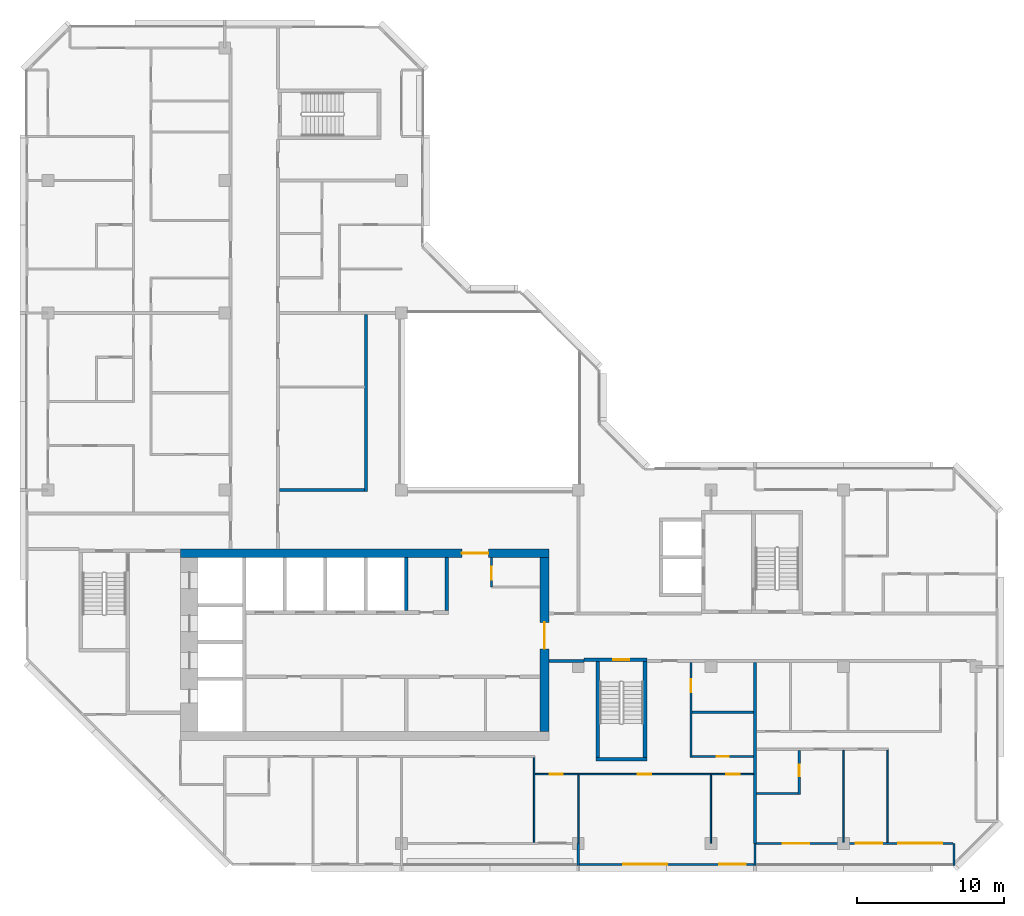
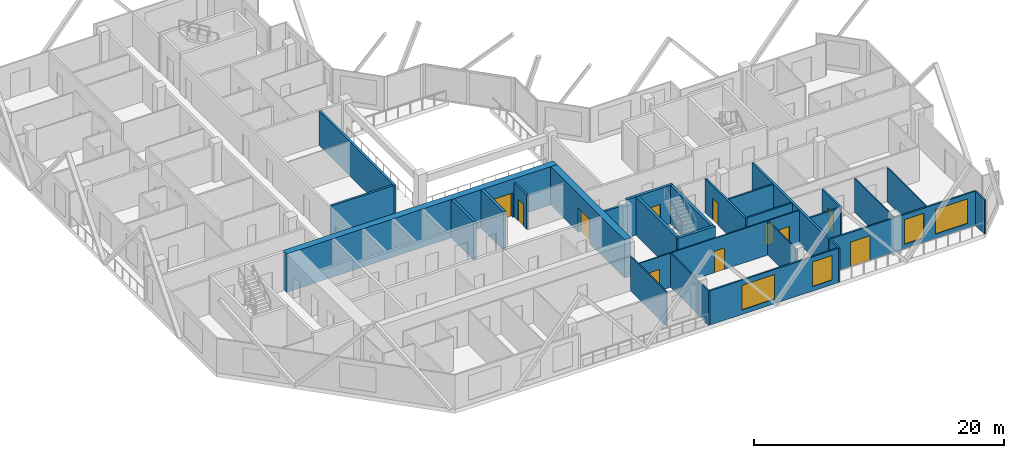
# One storey, part 6 of 13: 29 walls, 11 doors, 4 windows, 15 openings.
"""IFC4 building model written with IfcOpenShell, lengths in metres."""

from ifc_helpers import new_model, si_unit, direction, frame, frame_2d, origin, place, context, subcontext, project, spatial, rectangle, extrude, material, layer, layer_set, type_object, element, fill, save


model = new_model("IFC4")

# Units and contexts
model_context = context("Model", 3, precision=1e-05, world=origin(), true_north=direction((0.0, 1.0)))
body_context = subcontext(model_context, "Body", "Model", "MODEL_VIEW")
ifc_project = project(units=[si_unit("LENGTHUNIT", "METRE"), si_unit("AREAUNIT", "SQUARE_METRE"), si_unit("VOLUMEUNIT", "CUBIC_METRE"), si_unit("PLANEANGLEUNIT", "RADIAN"), si_unit("MASSUNIT", "GRAM", prefix="KILO")], contexts=[model_context])

# Site, building, storey
site_placement = place(None, origin())
site = spatial("IfcSite", under=ifc_project, at=site_placement, CompositionType="ELEMENT")
building_placement = place(site_placement, origin())
building = spatial("IfcBuilding", under=site, at=building_placement, Name="Chenar Terraces", CompositionType="ELEMENT")
storey_placement = place(building_placement, frame((0.0, 0.0, 303.39990234375)))
storey = spatial("IfcBuildingStorey", under=building, at=storey_placement, Name="L71", CompositionType="ELEMENT", Elevation=303.39990234375)

# Wall, opening, door
ifc_material_1 = material(Name="Gypsum board on steel studs", Category="steel")
ifc_layer_1 = layer(ifc_material_1, 0.14990234375)
ifc_layer_set_1 = layer_set([ifc_layer_1], Name="Gypsum board on steel studs")
wall_type_1 = type_object("IfcWallType", Name="Core partition 150 gypsum board", PredefinedType="PARTITIONING", material=ifc_layer_set_1)
wall_1_placement = place(storey_placement, frame((30.10009765625, 17.39990234375, 0.0), z_axis=(0.0, 0.0, 1.0), x_axis=(0.0, 1.0, 0.0)))
wall_1 = element("IfcWall", 1, at=wall_1_placement, inside=storey, type_object=wall_type_1, Name="Core partition CP1 vestibule room west wall", PredefinedType="PARTITIONING", context=body_context, shape_type="SweptSolid", body=[
    extrude(rectangle(XDim=2.0, YDim=0.14990234375, at=frame_2d((1.0, 0.0))), origin(), (0.0, 0.0, 1.0), 3.35009765625),
])
opening_1_placement = place(wall_1_placement, frame((0.5, 0.0, 0.0)))
opening_1 = element("IfcOpeningElement", 2, at=opening_1_placement, cuts=wall_1, Name="Opening DL71-C17", PredefinedType="OPENING", context=body_context, shape_type="SweptSolid", body=[
    extrude(rectangle(XDim=0.89990234375, YDim=2.10009765625, at=frame_2d((0.449951171875, 1.050048828125))), frame((0.0, 0.0849609375, 0.0), z_axis=(0.0, -1.0, 0.0), x_axis=(1.0, 0.0, 0.0)), (0.0, 0.0, 1.0), 0.169921875),
])
ifc_material_2 = material(Name="Steel-framed fire-resisting door leaf", Category="steel")
door_type_1 = type_object("IfcDoorType", Name="Riser fire door FD60 900 x 2100", OperationType="SINGLE_SWING_LEFT", PredefinedType="DOOR", material=ifc_material_2)
door_1_placement = place(opening_1_placement, frame((0.89990234375, 0.0, 0.0), z_axis=(0.0, 0.0, 1.0), x_axis=(-1.0, 0.0, 0.0)))
door_1 = element("IfcDoor", 3, at=door_1_placement, inside=storey, type_object=door_type_1, Name="Core room door DL71-C17", OperationType="SINGLE_SWING_RIGHT", OverallHeight=2.10009765625, OverallWidth=0.89990234375, PredefinedType="DOOR", context=body_context, shape_type="SweptSolid", body=[
    extrude(rectangle(XDim=0.89990234375, YDim=2.10009765625, at=frame_2d((0.449951171875, 1.050048828125))), frame((0.0, 0.02490234375, 0.0), z_axis=(0.0, -1.0, 0.0), x_axis=(1.0, 0.0, 0.0)), (0.0, 0.0, 1.0), 0.050048828125),
])
fill(opening_1, door_1)

# Walls
ifc_material_3 = material(Name="Concrete C50/60", Category="concrete")
ifc_layer_2 = layer(ifc_material_3, 0.25)
ifc_layer_set_2 = layer_set([ifc_layer_2], Name="Concrete C50/60")
wall_type_2 = type_object("IfcWallType", Name="Core wall 250 Concrete C50/60", PredefinedType="SHEAR", material=ifc_layer_set_2)
for number, where, z_axis, x_axis, name in (
    (4, (24.324951171875, 15.800048828125, 0.0), (0.0, 0.0, 1.0), (0.0, 1.0, 0.0), "Core wall NS3 L71"),
    (5, (27.074951171875, 15.800048828125, 0.0), (0.0, 0.0, 1.0), (0.0, 1.0, 0.0), "Core wall NE L71"),
):
    element("IfcWall", number, at=place(storey_placement, frame(where, z_axis=z_axis, x_axis=x_axis)), inside=storey, type_object=wall_type_2, Name=name, PredefinedType="SHEAR", context=body_context, shape_type="SweptSolid", body=[
        extrude(rectangle(XDim=3.599853515625, YDim=0.25, at=frame_2d((1.7998046875, 0.0))), origin(), (0.0, 0.0, 1.0), 3.75),
    ])
wall_2_placement = place(storey_placement, frame((37.199951171875, 5.72509765625, 0.0), z_axis=(0.0, 0.0, 1.0), x_axis=(1.0, 0.0, 0.0)))
element("IfcWall", 6, at=wall_2_placement, inside=storey, type_object=wall_type_2, Name="Core wall ST2_S L71", PredefinedType="SHEAR", context=body_context, shape_type="SweptSolid", body=[
    extrude(rectangle(XDim=3.449951171875, YDim=0.25, at=frame_2d((1.72509765625, 0.0))), origin(), (0.0, 0.0, 1.0), 3.75),
])

# Wall, opening, door
wall_3_placement = place(storey_placement, frame((36.39990234375, 12.47509765625, 0.0), z_axis=(0.0, 0.0, 1.0), x_axis=(1.0, 0.0, 0.0)))
wall_3 = element("IfcWall", 7, at=wall_3_placement, inside=storey, type_object=wall_type_2, Name="Core wall ST2_N L71", PredefinedType="SHEAR", context=body_context, shape_type="SweptSolid", body=[
    extrude(rectangle(XDim=4.25, YDim=0.25, at=frame_2d((2.125, 0.0))), origin(), (0.0, 0.0, 1.0), 3.75),
])
opening_2_placement = place(wall_3_placement, frame((1.97509765625, 0.0, 0.0)))
opening_2 = element("IfcOpeningElement", 8, at=opening_2_placement, cuts=wall_3, Name="Opening DL71-C7", PredefinedType="OPENING", context=body_context, shape_type="SweptSolid", body=[
    extrude(rectangle(XDim=1.10009765625, YDim=2.199951171875, at=frame_2d((0.550048828125, 1.10009765625))), frame((0.0, 0.135009765625, 0.0), z_axis=(0.0, -1.0, 0.0), x_axis=(1.0, 0.0, 0.0)), (0.0, 0.0, 1.0), 0.27001953125),
])
ifc_material_4 = material(Name="Steel-framed fire-resisting door leaf", Category="steel")
door_type_2 = type_object("IfcDoorType", Name="Stair fire door FD60 1100 x 2200", OperationType="SINGLE_SWING_LEFT", PredefinedType="DOOR", material=ifc_material_4)
door_2_placement = place(opening_2_placement, frame((1.10009765625, 0.0, 0.0), z_axis=(0.0, 0.0, 1.0), x_axis=(-1.0, 0.0, 0.0)))
door_2 = element("IfcDoor", 9, at=door_2_placement, inside=storey, type_object=door_type_2, Name="Stair door DL71-C7", OperationType="SINGLE_SWING_LEFT", OverallHeight=2.199951171875, OverallWidth=1.10009765625, PredefinedType="DOOR", context=body_context, shape_type="SweptSolid", body=[
    extrude(rectangle(XDim=1.10009765625, YDim=2.199951171875, at=frame_2d((0.550048828125, 1.10009765625))), frame((0.0, 0.02490234375, 0.0), z_axis=(0.0, -1.0, 0.0), x_axis=(1.0, 0.0, 0.0)), (0.0, 0.0, 1.0), 0.050048828125),
])
fill(opening_2, door_2)

# Walls
for number, where, z_axis, x_axis, name in (
    (10, (37.324951171875, 5.85009765625, 0.0), (0.0, 0.0, 1.0), (0.0, 1.0, 0.0), "Core wall ST2_W L71"),
    (11, (40.52490234375, 5.85009765625, 0.0), (0.0, 0.0, 1.0), (0.0, 1.0, 0.0), "Core wall ST2_E L71"),
):
    element("IfcWall", number, at=place(storey_placement, frame(where, z_axis=z_axis, x_axis=x_axis)), inside=storey, type_object=wall_type_2, Name=name, PredefinedType="SHEAR", context=body_context, shape_type="SweptSolid", body=[
        extrude(rectangle(XDim=6.5, YDim=0.25, at=frame_2d((3.25, 0.0))), origin(), (0.0, 0.0, 1.0), 3.75),
    ])

# Wall, opening, door
ifc_material_5 = material(Name="Concrete C50/60", Category="concrete")
ifc_layer_3 = layer(ifc_material_5, 0.60009765625)
ifc_layer_set_3 = layer_set([ifc_layer_3], Name="Concrete C50/60")
wall_type_3 = type_object("IfcWallType", Name="Core wall 600 Concrete C50/60", PredefinedType="SHEAR", material=ifc_layer_set_3)
wall_4_placement = place(storey_placement, frame((9.0, 19.699951171875, 0.0), z_axis=(0.0, 0.0, 1.0), x_axis=(1.0, 0.0, 0.0)))
wall_4 = element("IfcWall", 12, at=wall_4_placement, inside=storey, type_object=wall_type_3, Name="Core wall N L71", PredefinedType="SHEAR", context=body_context, shape_type="SweptSolid", body=[
    extrude(rectangle(XDim=25.0, YDim=0.60009765625, at=frame_2d((12.5, 0.0))), origin(), (0.0, 0.0, 1.0), 3.75),
])
opening_3_placement = place(wall_4_placement, frame((19.10009765625, 0.0, 0.0)))
opening_3 = element("IfcOpeningElement", 13, at=opening_3_placement, cuts=wall_4, Name="Opening DL71-C2", PredefinedType="OPENING", context=body_context, shape_type="SweptSolid", body=[
    extrude(rectangle(XDim=1.800048828125, YDim=2.39990234375, at=frame_2d((0.89990234375, 1.199951171875))), frame((0.0, 0.31005859375, 0.0), z_axis=(0.0, -1.0, 0.0), x_axis=(1.0, 0.0, 0.0)), (0.0, 0.0, 1.0), 0.6201171875),
])
ifc_material_6 = material(Name="Steel-framed fire-resisting door leaf", Category="steel")
door_type_3 = type_object("IfcDoorType", Name="Core entrance double fire door FD60 1800 x 2400", OperationType="DOUBLE_DOOR_SINGLE_SWING", PredefinedType="DOOR", material=ifc_material_6)
door_3_placement = place(opening_3_placement, frame((1.800048828125, 0.0, 0.0), z_axis=(0.0, 0.0, 1.0), x_axis=(-1.0, 0.0, 0.0)))
door_3 = element("IfcDoor", 14, at=door_3_placement, inside=storey, type_object=door_type_3, Name="Core door DL71-C2", OperationType="DOUBLE_DOOR_SINGLE_SWING", OverallHeight=2.39990234375, OverallWidth=1.800048828125, PredefinedType="DOOR", context=body_context, shape_type="SweptSolid", body=[
    extrude(rectangle(XDim=1.800048828125, YDim=2.39990234375, at=frame_2d((0.89990234375, 1.199951171875))), frame((0.0, 0.02490234375, 0.0), z_axis=(0.0, -1.0, 0.0), x_axis=(1.0, 0.0, 0.0)), (0.0, 0.0, 1.0), 0.050048828125),
])
fill(opening_3, door_3)

wall_5_placement = place(storey_placement, frame((33.699951171875, 7.60009765625, 0.0), z_axis=(0.0, 0.0, 1.0), x_axis=(0.0, 1.0, 0.0)))
wall_5 = element("IfcWall", 15, at=wall_5_placement, inside=storey, type_object=wall_type_3, Name="Core wall E L71", PredefinedType="SHEAR", context=body_context, shape_type="SweptSolid", body=[
    extrude(rectangle(XDim=11.7998046875, YDim=0.60009765625, at=frame_2d((5.89990234375, 0.0))), origin(), (0.0, 0.0, 1.0), 3.75),
])
opening_4_placement = place(wall_5_placement, frame((5.60009765625, 0.0, 0.0)))
opening_4 = element("IfcOpeningElement", 16, at=opening_4_placement, cuts=wall_5, Name="Opening DL71-C1", PredefinedType="OPENING", context=body_context, shape_type="SweptSolid", body=[
    extrude(rectangle(XDim=1.800048828125, YDim=2.39990234375, at=frame_2d((0.89990234375, 1.199951171875))), frame((0.0, 0.31005859375, 0.0), z_axis=(0.0, -1.0, 0.0), x_axis=(1.0, 0.0, 0.0)), (0.0, 0.0, 1.0), 0.6201171875),
])
door_4_placement = place(opening_4_placement, origin())
door_4 = element("IfcDoor", 17, at=door_4_placement, inside=storey, type_object=door_type_3, Name="Core door DL71-C1", OperationType="DOUBLE_DOOR_SINGLE_SWING", OverallHeight=2.39990234375, OverallWidth=1.800048828125, PredefinedType="DOOR", context=body_context, shape_type="SweptSolid", body=[
    extrude(rectangle(XDim=1.800048828125, YDim=2.39990234375, at=frame_2d((0.89990234375, 1.199951171875))), frame((0.0, 0.02490234375, 0.0), z_axis=(0.0, -1.0, 0.0), x_axis=(1.0, 0.0, 0.0)), (0.0, 0.0, 1.0), 0.050048828125),
])
fill(opening_4, door_4)

# Walls
ifc_material_7 = material(Name="Gypsum board on steel studs with fire boards", Category="steel")
ifc_layer_4 = layer(ifc_material_7, 0.199951171875)
ifc_layer_set_4 = layer_set([ifc_layer_4], Name="Gypsum board on steel studs with fire boards")
wall_type_4 = type_object("IfcWallType", Name="Corridor wall 200", PredefinedType="PARTITIONING", material=ifc_layer_set_4)
wall_6_placement = place(storey_placement, frame((15.699951171875, 24.0, 0.0), z_axis=(0.0, 0.0, 1.0), x_axis=(1.0, 0.0, 0.0)))
element("IfcWall", 18, at=wall_6_placement, inside=storey, type_object=wall_type_4, Name="Partition L71-035", PredefinedType="PARTITIONING", context=body_context, shape_type="SweptSolid", body=[
    extrude(rectangle(XDim=5.800048828125, YDim=0.199951171875, at=frame_2d((2.89990234375, 0.0))), origin(), (0.0, 0.0, 1.0), 3.35009765625),
])
wall_7_placement = place(storey_placement, frame((21.60009765625, 23.89990234375, 0.0), z_axis=(0.0, 0.0, 1.0), x_axis=(0.0, 1.0, 0.0)))
element("IfcWall", 19, at=wall_7_placement, inside=storey, type_object=wall_type_4, Name="Partition L71-047", PredefinedType="PARTITIONING", context=body_context, shape_type="SweptSolid", body=[
    extrude(rectangle(XDim=12.0, YDim=0.199951171875, at=frame_2d((6.0, 0.0))), origin(), (0.0, 0.0, 1.0), 3.35009765625),
])
wall_8_placement = place(storey_placement, frame((34.0, 12.39990234375, 0.0), z_axis=(0.0, 0.0, 1.0), x_axis=(1.0, 0.0, 0.0)))
element("IfcWall", 20, at=wall_8_placement, inside=storey, type_object=wall_type_4, Name="Partition L71-051", PredefinedType="PARTITIONING", context=body_context, shape_type="SweptSolid", body=[
    extrude(rectangle(XDim=2.40087890625, YDim=0.199951171875, at=frame_2d((1.200439453125, 0.0))), origin(), (0.0, 0.0, 1.0), 3.35009765625),
])

# Wall, openings, windows
ifc_material_8 = material(Name="Aluminium framed glazing", Category="aluminium")
ifc_layer_5 = layer(ifc_material_8, 0.14990234375)
ifc_layer_set_5 = layer_set([ifc_layer_5], Name="Aluminium framed glazing")
wall_type_5 = type_object("IfcWallType", Name="Glazed flush facade wall 150", PredefinedType="SOLIDWALL", material=ifc_layer_set_5)
wall_9_placement = place(storey_placement, frame((36.074951171875, -1.425048828125, 0.0), z_axis=(0.0, 0.0, 1.0), x_axis=(1.0, 0.0, 0.0)))
wall_9 = element("IfcWall", 21, at=wall_9_placement, inside=storey, type_object=wall_type_5, Name="Glazed flush facade wall", PredefinedType="SOLIDWALL", context=body_context, shape_type="SweptSolid", body=[
    extrude(rectangle(XDim=11.85009765625, YDim=0.14990234375, at=frame_2d((5.925048828125, 0.0))), origin(), (0.0, 0.0, 1.0), 3.35009765625),
])
opening_5_placement = place(wall_9_placement, frame((2.96240234375, 0.0, 0.449951171875)))
opening_5 = element("IfcOpeningElement", 22, at=opening_5_placement, cuts=wall_9, Name="Opening W300x240", PredefinedType="OPENING", context=body_context, shape_type="SweptSolid", body=[
    extrude(rectangle(XDim=3.0, YDim=2.39990234375, at=frame_2d((1.5, 1.199951171875))), frame((0.0, 0.0849609375, 0.0), z_axis=(0.0, -1.0, 0.0), x_axis=(1.0, 0.0, 0.0)), (0.0, 0.0, 1.0), 0.169921875),
])
opening_6_placement = place(wall_9_placement, frame((9.487548828125, 0.0, 0.449951171875)))
opening_6 = element("IfcOpeningElement", 23, at=opening_6_placement, cuts=wall_9, Name="Opening W180x240", PredefinedType="OPENING", context=body_context, shape_type="SweptSolid", body=[
    extrude(rectangle(XDim=1.800048828125, YDim=2.39990234375, at=frame_2d((0.89990234375, 1.199951171875))), frame((0.0, 0.0849609375, 0.0), z_axis=(0.0, -1.0, 0.0), x_axis=(1.0, 0.0, 0.0)), (0.0, 0.0, 1.0), 0.169921875),
])
ifc_material_9 = material(Name="Low emissivity double glazing, aluminium frame", Category="aluminium")
window_type_1 = type_object("IfcWindowType", Name="Fixed light 1800 x 2400", PartitioningType="SINGLE_PANEL", PredefinedType="WINDOW", material=ifc_material_9)
window_1_placement = place(opening_6_placement, origin())
window_1 = element("IfcWindow", 24, at=window_1_placement, inside=storey, type_object=window_type_1, Name="Window", OverallHeight=2.39990234375, OverallWidth=1.800048828125, PartitioningType="SINGLE_PANEL", PredefinedType="WINDOW", context=body_context, shape_type="SweptSolid", body=[
    extrude(rectangle(XDim=1.800048828125, YDim=2.39990234375, at=frame_2d((0.89990234375, 1.199951171875))), frame((0.0, 0.030029296875, 0.0), z_axis=(0.0, -1.0, 0.0), x_axis=(1.0, 0.0, 0.0)), (0.0, 0.0, 1.0), 0.06005859375),
])
fill(opening_6, window_1)
ifc_material_10 = material(Name="Low emissivity double glazing, aluminium frame", Category="aluminium")
window_type_2 = type_object("IfcWindowType", Name="Fixed light 3000 x 2400", PartitioningType="SINGLE_PANEL", PredefinedType="WINDOW", material=ifc_material_10)
window_2_placement = place(opening_5_placement, origin())
window_2 = element("IfcWindow", 25, at=window_2_placement, inside=storey, type_object=window_type_2, Name="Window", OverallHeight=2.39990234375, OverallWidth=3.0, PartitioningType="SINGLE_PANEL", PredefinedType="WINDOW", context=body_context, shape_type="SweptSolid", body=[
    extrude(rectangle(XDim=3.0, YDim=2.39990234375, at=frame_2d((1.5, 1.199951171875))), frame((0.0, 0.030029296875, 0.0), z_axis=(0.0, -1.0, 0.0), x_axis=(1.0, 0.0, 0.0)), (0.0, 0.0, 1.0), 0.06005859375),
])
fill(opening_5, window_2)

# Wall, openings, windows, door
ifc_material_11 = material(Name="Aluminium framed glazing", Category="aluminium")
ifc_layer_6 = layer(ifc_material_11, 0.14990234375)
ifc_layer_set_6 = layer_set([ifc_layer_6], Name="Aluminium framed glazing")
wall_type_6 = type_object("IfcWallType", Name="Glazed loggia back wall 150", PredefinedType="SOLIDWALL", material=ifc_layer_set_6)
wall_10_placement = place(storey_placement, frame((48.074951171875, 0.0, 0.0), z_axis=(0.0, 0.0, 1.0), x_axis=(1.0, 0.0, 0.0)))
wall_10 = element("IfcWall", 26, at=wall_10_placement, inside=storey, type_object=wall_type_6, Name="Glazed loggia back wall", PredefinedType="SOLIDWALL", context=body_context, shape_type="SweptSolid", body=[
    extrude(rectangle(XDim=13.35009765625, YDim=0.14990234375, at=frame_2d((6.675048828125, 0.0))), origin(), (0.0, 0.0, 1.0), 3.35009765625),
])
opening_7_placement = place(wall_10_placement, frame((1.8125, 0.0, 0.0)))
opening_7 = element("IfcOpeningElement", 27, at=opening_7_placement, cuts=wall_10, Name="Opening DL71-G6", PredefinedType="OPENING", context=body_context, shape_type="SweptSolid", body=[
    extrude(rectangle(XDim=1.800048828125, YDim=2.39990234375, at=frame_2d((0.89990234375, 1.199951171875))), frame((0.0, 0.0849609375, 0.0), z_axis=(0.0, -1.0, 0.0), x_axis=(1.0, 0.0, 0.0)), (0.0, 0.0, 1.0), 0.169921875),
])
opening_8_placement = place(wall_10_placement, frame((6.77490234375, 0.0, 0.449951171875)))
opening_8 = element("IfcOpeningElement", 28, at=opening_8_placement, cuts=wall_10, Name="Opening W180x240", PredefinedType="OPENING", context=body_context, shape_type="SweptSolid", body=[
    extrude(rectangle(XDim=1.800048828125, YDim=2.39990234375, at=frame_2d((0.89990234375, 1.199951171875))), frame((0.0, 0.0849609375, 0.0), z_axis=(0.0, -1.0, 0.0), x_axis=(1.0, 0.0, 0.0)), (0.0, 0.0, 1.0), 0.169921875),
])
opening_9_placement = place(wall_10_placement, frame((9.637451171875, 0.0, 0.449951171875)))
opening_9 = element("IfcOpeningElement", 29, at=opening_9_placement, cuts=wall_10, Name="Opening W300x240", PredefinedType="OPENING", context=body_context, shape_type="SweptSolid", body=[
    extrude(rectangle(XDim=3.0, YDim=2.39990234375, at=frame_2d((1.5, 1.199951171875))), frame((0.0, 0.0849609375, 0.0), z_axis=(0.0, -1.0, 0.0), x_axis=(1.0, 0.0, 0.0)), (0.0, 0.0, 1.0), 0.169921875),
])
window_3_placement = place(opening_8_placement, origin())
window_3 = element("IfcWindow", 30, at=window_3_placement, inside=storey, type_object=window_type_1, Name="Window", OverallHeight=2.39990234375, OverallWidth=1.800048828125, PartitioningType="SINGLE_PANEL", PredefinedType="WINDOW", context=body_context, shape_type="SweptSolid", body=[
    extrude(rectangle(XDim=1.800048828125, YDim=2.39990234375, at=frame_2d((0.89990234375, 1.199951171875))), frame((0.0, 0.030029296875, 0.0), z_axis=(0.0, -1.0, 0.0), x_axis=(1.0, 0.0, 0.0)), (0.0, 0.0, 1.0), 0.06005859375),
])
fill(opening_8, window_3)
window_4_placement = place(opening_9_placement, origin())
window_4 = element("IfcWindow", 31, at=window_4_placement, inside=storey, type_object=window_type_2, Name="Window", OverallHeight=2.39990234375, OverallWidth=3.0, PartitioningType="SINGLE_PANEL", PredefinedType="WINDOW", context=body_context, shape_type="SweptSolid", body=[
    extrude(rectangle(XDim=3.0, YDim=2.39990234375, at=frame_2d((1.5, 1.199951171875))), frame((0.0, 0.030029296875, 0.0), z_axis=(0.0, -1.0, 0.0), x_axis=(1.0, 0.0, 0.0)), (0.0, 0.0, 1.0), 0.06005859375),
])
fill(opening_9, window_4)
ifc_material_12 = material(Name="Low emissivity double glazing, aluminium frame", Category="aluminium")
door_type_4 = type_object("IfcDoorType", Name="Loggia glazed double door 1800 x 2400", OperationType="DOUBLE_DOOR_SINGLE_SWING", PredefinedType="DOOR", material=ifc_material_12)
door_5_placement = place(opening_7_placement, frame((1.800048828125, 0.0, 0.0), z_axis=(0.0, 0.0, 1.0), x_axis=(-1.0, 0.0, 0.0)))
door_5 = element("IfcDoor", 32, at=door_5_placement, inside=storey, type_object=door_type_4, Name="Loggia glazed door", OperationType="DOUBLE_DOOR_SINGLE_SWING", OverallHeight=2.39990234375, OverallWidth=1.800048828125, PredefinedType="DOOR", context=body_context, shape_type="SweptSolid", body=[
    extrude(rectangle(XDim=1.800048828125, YDim=2.39990234375, at=frame_2d((0.89990234375, 1.199951171875))), frame((0.0, 0.02490234375, 0.0), z_axis=(0.0, -1.0, 0.0), x_axis=(1.0, 0.0, 0.0)), (0.0, 0.0, 1.0), 0.050048828125),
])
fill(opening_7, door_5)

# Wall
ifc_material_13 = material(Name="Gypsum board on steel studs", Category="steel")
ifc_layer_7 = layer(ifc_material_13, 0.10009765625)
ifc_layer_set_7 = layer_set([ifc_layer_7], Name="Gypsum board on steel studs")
wall_type_7 = type_object("IfcWallType", Name="Gypsum partition 100", PredefinedType="PARTITIONING", material=ifc_layer_set_7)
wall_11_placement = place(storey_placement, frame((33.0, 0.073974609375, 0.0), z_axis=(0.0, 0.0, 1.0), x_axis=(0.0, 1.0, 0.0)))
element("IfcWall", 33, at=wall_11_placement, inside=storey, type_object=wall_type_7, Name="Partition L71-049", PredefinedType="PARTITIONING", context=body_context, shape_type="SweptSolid", body=[
    extrude(rectangle(XDim=5.7509765625, YDim=0.10009765625, at=frame_2d((2.87548828125, 0.0))), origin(), (0.0, 0.0, 1.0), 3.35009765625),
])

# Wall, openings, doors
wall_12_placement = place(storey_placement, frame((33.050048828125, 4.699951171875, 0.0), z_axis=(0.0, 0.0, 1.0), x_axis=(1.0, 0.0, 0.0)))
wall_12 = element("IfcWall", 34, at=wall_12_placement, inside=storey, type_object=wall_type_7, Name="Partition L71-050", PredefinedType="PARTITIONING", context=body_context, shape_type="SweptSolid", body=[
    extrude(rectangle(XDim=14.849853515625, YDim=0.10009765625, at=frame_2d((7.4248046875, 0.0))), origin(), (0.0, 0.0, 1.0), 3.35009765625),
])
opening_10_placement = place(wall_12_placement, frame((1.0, 0.0, 0.0)))
opening_10 = element("IfcOpeningElement", 35, at=opening_10_placement, cuts=wall_12, Name="Opening DL71-37", PredefinedType="OPENING", context=body_context, shape_type="SweptSolid", body=[
    extrude(rectangle(XDim=0.89990234375, YDim=2.10009765625, at=frame_2d((0.449951171875, 1.050048828125))), frame((0.0, 0.06005859375, 0.0), z_axis=(0.0, -1.0, 0.0), x_axis=(1.0, 0.0, 0.0)), (0.0, 0.0, 1.0), 0.1201171875),
])
opening_11_placement = place(wall_12_placement, frame((13.0, 0.0, 0.0)))
opening_11 = element("IfcOpeningElement", 36, at=opening_11_placement, cuts=wall_12, Name="Opening DL71-38", PredefinedType="OPENING", context=body_context, shape_type="SweptSolid", body=[
    extrude(rectangle(XDim=0.89990234375, YDim=2.10009765625, at=frame_2d((0.449951171875, 1.050048828125))), frame((0.0, 0.06005859375, 0.0), z_axis=(0.0, -1.0, 0.0), x_axis=(1.0, 0.0, 0.0)), (0.0, 0.0, 1.0), 0.1201171875),
])
opening_12_placement = place(wall_12_placement, frame((7.0, 0.0, 0.0)))
opening_12 = element("IfcOpeningElement", 37, at=opening_12_placement, cuts=wall_12, Name="Opening DL71-46", PredefinedType="OPENING", context=body_context, shape_type="SweptSolid", body=[
    extrude(rectangle(XDim=0.89990234375, YDim=2.10009765625, at=frame_2d((0.449951171875, 1.050048828125))), frame((0.0, 0.06005859375, 0.0), z_axis=(0.0, -1.0, 0.0), x_axis=(1.0, 0.0, 0.0)), (0.0, 0.0, 1.0), 0.1201171875),
])
ifc_material_14 = material(Name="Veneered timber door leaf", Category="wood")
door_type_5 = type_object("IfcDoorType", Name="Door 900 x 2100", OperationType="SINGLE_SWING_LEFT", PredefinedType="DOOR", material=ifc_material_14)
door_6_placement = place(opening_10_placement, frame((0.89990234375, 0.0, 0.0), z_axis=(0.0, 0.0, 1.0), x_axis=(-1.0, 0.0, 0.0)))
door_6 = element("IfcDoor", 38, at=door_6_placement, inside=storey, type_object=door_type_5, Name="Door DL71-37", OperationType="SINGLE_SWING_LEFT", OverallHeight=2.10009765625, OverallWidth=0.89990234375, PredefinedType="DOOR", context=body_context, shape_type="SweptSolid", body=[
    extrude(rectangle(XDim=0.89990234375, YDim=2.10009765625, at=frame_2d((0.449951171875, 1.050048828125))), frame((0.0, 0.02490234375, 0.0), z_axis=(0.0, -1.0, 0.0), x_axis=(1.0, 0.0, 0.0)), (0.0, 0.0, 1.0), 0.050048828125),
])
fill(opening_10, door_6)
door_7_placement = place(opening_11_placement, frame((0.89990234375, 0.0, 0.0), z_axis=(0.0, 0.0, 1.0), x_axis=(-1.0, 0.0, 0.0)))
door_7 = element("IfcDoor", 39, at=door_7_placement, inside=storey, type_object=door_type_5, Name="Door DL71-38", OperationType="SINGLE_SWING_LEFT", OverallHeight=2.10009765625, OverallWidth=0.89990234375, PredefinedType="DOOR", context=body_context, shape_type="SweptSolid", body=[
    extrude(rectangle(XDim=0.89990234375, YDim=2.10009765625, at=frame_2d((0.449951171875, 1.050048828125))), frame((0.0, 0.02490234375, 0.0), z_axis=(0.0, -1.0, 0.0), x_axis=(1.0, 0.0, 0.0)), (0.0, 0.0, 1.0), 0.050048828125),
])
fill(opening_11, door_7)
door_8_placement = place(opening_12_placement, frame((0.89990234375, 0.0, 0.0), z_axis=(0.0, 0.0, 1.0), x_axis=(-1.0, 0.0, 0.0)))
door_8 = element("IfcDoor", 40, at=door_8_placement, inside=storey, type_object=door_type_5, Name="Door DL71-46", OperationType="SINGLE_SWING_LEFT", OverallHeight=2.10009765625, OverallWidth=0.89990234375, PredefinedType="DOOR", context=body_context, shape_type="SweptSolid", body=[
    extrude(rectangle(XDim=0.89990234375, YDim=2.10009765625, at=frame_2d((0.449951171875, 1.050048828125))), frame((0.0, 0.02490234375, 0.0), z_axis=(0.0, -1.0, 0.0), x_axis=(1.0, 0.0, 0.0)), (0.0, 0.0, 1.0), 0.050048828125),
])
fill(opening_12, door_8)

# Walls
for number, where, z_axis, x_axis, name in (
    (41, (36.0, 0.0, 0.0), (0.0, 0.0, 1.0), (0.0, 1.0, 0.0), "Partition L71-053"),
    (42, (45.0, 0.0, 0.0), (0.0, 0.0, 1.0), (0.0, 1.0, 0.0), "Partition L71-059"),
):
    element("IfcWall", number, at=place(storey_placement, frame(where, z_axis=z_axis, x_axis=x_axis)), inside=storey, type_object=wall_type_7, Name=name, PredefinedType="PARTITIONING", context=body_context, shape_type="SweptSolid", body=[
        extrude(rectangle(XDim=4.64990234375, YDim=0.10009765625, at=frame_2d((2.324951171875, 0.0))), origin(), (0.0, 0.0, 1.0), 3.35009765625),
    ])
for number, where, z_axis, x_axis, name in (
    (43, (54.0, 0.073974609375, 0.0), (0.0, 0.0, 1.0), (0.0, 1.0, 0.0), "Partition L71-068"),
    (44, (57.0, 0.073974609375, 0.0), (0.0, 0.0, 1.0), (0.0, 1.0, 0.0), "Partition L71-074"),
):
    element("IfcWall", number, at=place(storey_placement, frame(where, z_axis=z_axis, x_axis=x_axis)), inside=storey, type_object=wall_type_7, Name=name, PredefinedType="PARTITIONING", context=body_context, shape_type="SweptSolid", body=[
        extrude(rectangle(XDim=6.2509765625, YDim=0.10009765625, at=frame_2d((3.12548828125, 0.0))), origin(), (0.0, 0.0, 1.0), 3.35009765625),
    ])
ifc_material_15 = material(Name="Terracotta cladding on insulated backing", Category="masonry")
ifc_layer_8 = layer(ifc_material_15, 0.14990234375)
ifc_layer_set_8 = layer_set([ifc_layer_8], Name="Terracotta cladding on insulated backing")
wall_type_8 = type_object("IfcWallType", Name="Loggia return wall 150", PredefinedType="SOLIDWALL", material=ifc_layer_set_8)
for number, where, z_axis, x_axis, name in (
    (45, (36.0, -1.5, 0.0), (0.0, 0.0, 1.0), (0.0, 1.0, 0.0), "Loggia return wall"),
    (46, (48.0, -1.5, 0.0), (0.0, 0.0, 1.0), (0.0, 1.0, 0.0), "Loggia return wall"),
    (47, (61.5, -1.5, 0.0), (0.0, 0.0, 1.0), (0.0, 1.0, 0.0), "Loggia return wall"),
):
    element("IfcWall", number, at=place(storey_placement, frame(where, z_axis=z_axis, x_axis=x_axis)), inside=storey, type_object=wall_type_8, Name=name, PredefinedType="SOLIDWALL", context=body_context, shape_type="SweptSolid", body=[
        extrude(rectangle(XDim=1.5, YDim=0.14990234375, at=frame_2d((0.75, 0.0))), origin(), (0.0, 0.0, 1.0), 3.35009765625),
    ])
ifc_material_16 = material(Name="Twin gypsum board on steel studs with mineral wool", Category="steel")
ifc_layer_9 = layer(ifc_material_16, 0.199951171875)
ifc_layer_set_9 = layer_set([ifc_layer_9], Name="Twin gypsum board on steel studs with mineral wool")
wall_type_9 = type_object("IfcWallType", Name="Unit demising wall 200", PredefinedType="PARTITIONING", material=ifc_layer_set_9)
wall_13_placement = place(storey_placement, frame((48.0, 0.0, 0.0), z_axis=(0.0, 0.0, 1.0), x_axis=(0.0, 1.0, 0.0)))
element("IfcWall", 48, at=wall_13_placement, inside=storey, type_object=wall_type_9, Name="Partition L71-061", PredefinedType="PARTITIONING", context=body_context, shape_type="SweptSolid", body=[
    extrude(rectangle(XDim=12.300048828125, YDim=0.199951171875, at=frame_2d((6.14990234375, 0.0))), origin(), (0.0, 0.0, 1.0), 3.35009765625),
])

# Wall, opening, door
ifc_material_17 = material(Name="Moisture-resistant gypsum board on steel studs", Category="steel")
ifc_layer_10 = layer(ifc_material_17, 0.14990234375)
ifc_layer_set_10 = layer_set([ifc_layer_10], Name="Moisture-resistant gypsum board on steel studs")
wall_type_10 = type_object("IfcWallType", Name="Wet-room partition 150", PredefinedType="PARTITIONING", material=ifc_layer_set_10)
wall_14_placement = place(storey_placement, frame((43.64990234375, 5.824951171875, 0.0), z_axis=(0.0, 0.0, 1.0), x_axis=(0.0, 1.0, 0.0)))
wall_14 = element("IfcWall", 49, at=wall_14_placement, inside=storey, type_object=wall_type_10, Name="Partition L71-056", PredefinedType="PARTITIONING", context=body_context, shape_type="SweptSolid", body=[
    extrude(rectangle(XDim=6.47509765625, YDim=0.14990234375, at=frame_2d((3.237548828125, 0.0))), origin(), (0.0, 0.0, 1.0), 3.35009765625),
])
opening_13_placement = place(wall_14_placement, frame((4.425048828125, 0.0, 0.0)))
opening_13 = element("IfcOpeningElement", 50, at=opening_13_placement, cuts=wall_14, Name="Opening DL71-44", PredefinedType="OPENING", context=body_context, shape_type="SweptSolid", body=[
    extrude(rectangle(XDim=0.89990234375, YDim=2.10009765625, at=frame_2d((0.449951171875, 1.050048828125))), frame((0.0, 0.0849609375, 0.0), z_axis=(0.0, -1.0, 0.0), x_axis=(1.0, 0.0, 0.0)), (0.0, 0.0, 1.0), 0.169921875),
])
door_9_placement = place(opening_13_placement, frame((0.89990234375, 0.0, 0.0), z_axis=(0.0, 0.0, 1.0), x_axis=(-1.0, 0.0, 0.0)))
door_9 = element("IfcDoor", 51, at=door_9_placement, inside=storey, type_object=door_type_5, Name="Door DL71-44", OperationType="SINGLE_SWING_LEFT", OverallHeight=2.10009765625, OverallWidth=0.89990234375, PredefinedType="DOOR", context=body_context, shape_type="SweptSolid", body=[
    extrude(rectangle(XDim=0.89990234375, YDim=2.10009765625, at=frame_2d((0.449951171875, 1.050048828125))), frame((0.0, 0.02490234375, 0.0), z_axis=(0.0, -1.0, 0.0), x_axis=(1.0, 0.0, 0.0)), (0.0, 0.0, 1.0), 0.050048828125),
])
fill(opening_13, door_9)

wall_15_placement = place(storey_placement, frame((43.72509765625, 5.89990234375, 0.0), z_axis=(0.0, 0.0, 1.0), x_axis=(1.0, 0.0, 0.0)))
wall_15 = element("IfcWall", 52, at=wall_15_placement, inside=storey, type_object=wall_type_10, Name="Partition L71-057", PredefinedType="PARTITIONING", context=body_context, shape_type="SweptSolid", body=[
    extrude(rectangle(XDim=4.1748046875, YDim=0.14990234375, at=frame_2d((2.08740234375, 0.0))), origin(), (0.0, 0.0, 1.0), 3.35009765625),
])
opening_14_placement = place(wall_15_placement, frame((1.675048828125, 0.0, 0.0)))
opening_14 = element("IfcOpeningElement", 53, at=opening_14_placement, cuts=wall_15, Name="Opening DL71-34", PredefinedType="OPENING", context=body_context, shape_type="SweptSolid", body=[
    extrude(rectangle(XDim=0.800048828125, YDim=2.10009765625, at=frame_2d((0.39990234375, 1.050048828125))), frame((0.0, 0.0849609375, 0.0), z_axis=(0.0, -1.0, 0.0), x_axis=(1.0, 0.0, 0.0)), (0.0, 0.0, 1.0), 0.169921875),
])
ifc_material_18 = material(Name="Veneered timber door leaf", Category="wood")
door_type_6 = type_object("IfcDoorType", Name="Door 800 x 2100", OperationType="SINGLE_SWING_LEFT", PredefinedType="DOOR", material=ifc_material_18)
door_10_placement = place(opening_14_placement, origin())
door_10 = element("IfcDoor", 54, at=door_10_placement, inside=storey, type_object=door_type_6, Name="Door DL71-34", OperationType="SINGLE_SWING_LEFT", OverallHeight=2.10009765625, OverallWidth=0.800048828125, PredefinedType="DOOR", context=body_context, shape_type="SweptSolid", body=[
    extrude(rectangle(XDim=0.800048828125, YDim=2.10009765625, at=frame_2d((0.39990234375, 1.050048828125))), frame((0.0, 0.02490234375, 0.0), z_axis=(0.0, -1.0, 0.0), x_axis=(1.0, 0.0, 0.0)), (0.0, 0.0, 1.0), 0.050048828125),
])
fill(opening_14, door_10)

# Walls
wall_16_placement = place(storey_placement, frame((43.72509765625, 8.89990234375, 0.0), z_axis=(0.0, 0.0, 1.0), x_axis=(1.0, 0.0, 0.0)))
element("IfcWall", 55, at=wall_16_placement, inside=storey, type_object=wall_type_10, Name="Partition L71-058", PredefinedType="PARTITIONING", context=body_context, shape_type="SweptSolid", body=[
    extrude(rectangle(XDim=4.1748046875, YDim=0.14990234375, at=frame_2d((2.08740234375, 0.0))), origin(), (0.0, 0.0, 1.0), 3.35009765625),
])
wall_17_placement = place(storey_placement, frame((48.10009765625, 3.39990234375, 0.0), z_axis=(0.0, 0.0, 1.0), x_axis=(1.0, 0.0, 0.0)))
element("IfcWall", 56, at=wall_17_placement, inside=storey, type_object=wall_type_10, Name="Partition L71-062", PredefinedType="PARTITIONING", context=body_context, shape_type="SweptSolid", body=[
    extrude(rectangle(XDim=2.824951171875, YDim=0.14990234375, at=frame_2d((1.41259765625, 0.0))), origin(), (0.0, 0.0, 1.0), 3.35009765625),
])

# Wall, opening, door
wall_18_placement = place(storey_placement, frame((51.0, 3.324951171875, 0.0), z_axis=(0.0, 0.0, 1.0), x_axis=(0.0, 1.0, 0.0)))
wall_18 = element("IfcWall", 57, at=wall_18_placement, inside=storey, type_object=wall_type_10, Name="Partition L71-066", PredefinedType="PARTITIONING", context=body_context, shape_type="SweptSolid", body=[
    extrude(rectangle(XDim=3.0, YDim=0.14990234375, at=frame_2d((1.5, 0.0))), origin(), (0.0, 0.0, 1.0), 3.35009765625),
])
opening_15_placement = place(wall_18_placement, frame((1.22509765625, 0.0, 0.0)))
opening_15 = element("IfcOpeningElement", 58, at=opening_15_placement, cuts=wall_18, Name="Opening DL71-11", PredefinedType="OPENING", context=body_context, shape_type="SweptSolid", body=[
    extrude(rectangle(XDim=0.800048828125, YDim=2.10009765625, at=frame_2d((0.39990234375, 1.050048828125))), frame((0.0, 0.0849609375, 0.0), z_axis=(0.0, -1.0, 0.0), x_axis=(1.0, 0.0, 0.0)), (0.0, 0.0, 1.0), 0.169921875),
])
door_11_placement = place(opening_15_placement, origin())
door_11 = element("IfcDoor", 59, at=door_11_placement, inside=storey, type_object=door_type_6, Name="Door DL71-11", OperationType="SINGLE_SWING_RIGHT", OverallHeight=2.10009765625, OverallWidth=0.800048828125, PredefinedType="DOOR", context=body_context, shape_type="SweptSolid", body=[
    extrude(rectangle(XDim=0.800048828125, YDim=2.10009765625, at=frame_2d((0.39990234375, 1.050048828125))), frame((0.0, 0.02490234375, 0.0), z_axis=(0.0, -1.0, 0.0), x_axis=(1.0, 0.0, 0.0)), (0.0, 0.0, 1.0), 0.050048828125),
])
fill(opening_15, door_11)

save(model, "model.ifc")
